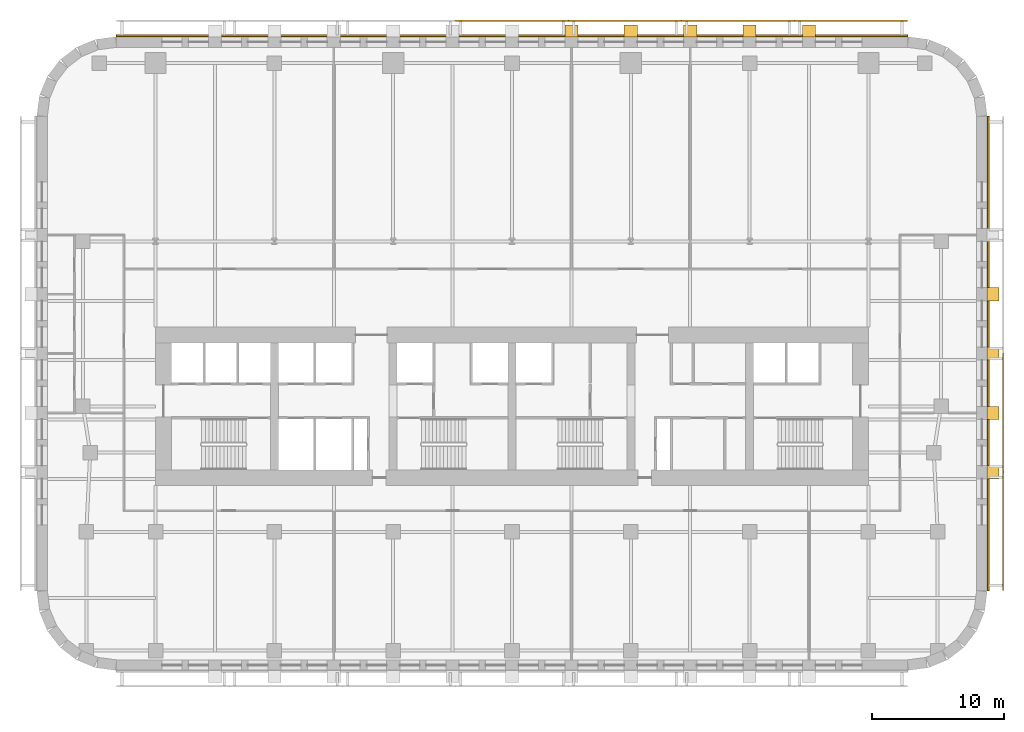
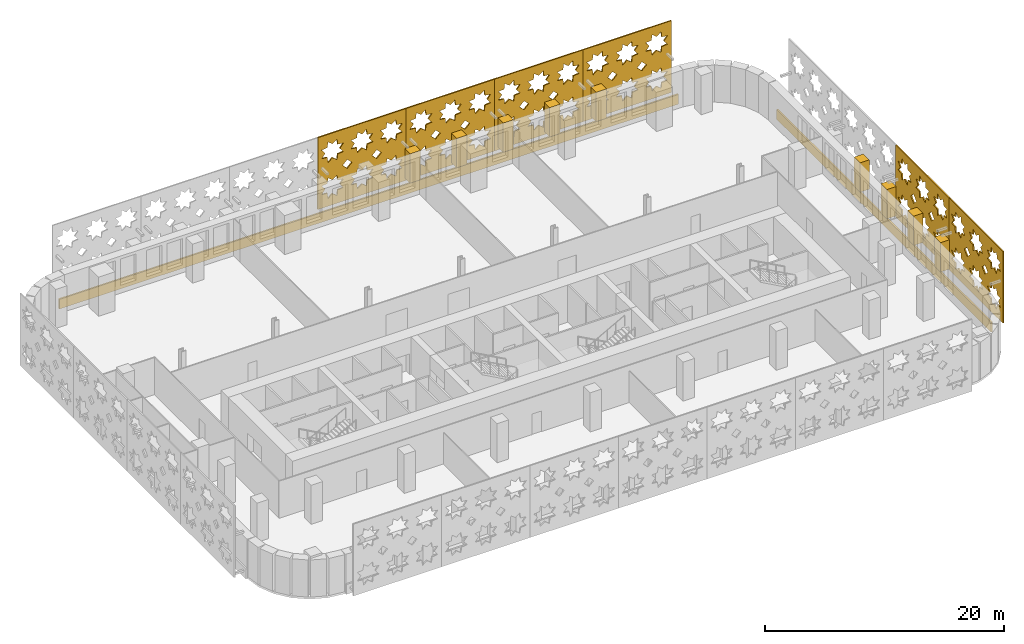
# One storey, part 13 of 14: 17 coverings.
"""IFC4 building model written with IfcOpenShell, lengths in metres."""

from ifc_helpers import new_model, si_unit, direction, frame, origin, place, context, subcontext, project, spatial, polyline, outline, extrude, material, layer, layer_set, type_object, element, save


model = new_model("IFC4")

# Units and contexts
model_context = context("Model", 3, precision=1e-05, world=origin(), true_north=direction((0.0, 1.0)))
body_context = subcontext(model_context, "Body", "Model", "MODEL_VIEW")
ifc_project = project(units=[si_unit("LENGTHUNIT", "METRE"), si_unit("AREAUNIT", "SQUARE_METRE"), si_unit("VOLUMEUNIT", "CUBIC_METRE"), si_unit("PLANEANGLEUNIT", "RADIAN"), si_unit("MASSUNIT", "GRAM", prefix="KILO")], contexts=[model_context])

# Site, building, storey
site_placement = place(None, origin())
site = spatial("IfcSite", under=ifc_project, at=site_placement, CompositionType="ELEMENT")
building_placement = place(site_placement, origin())
building = spatial("IfcBuilding", under=site, at=building_placement, Name="Zellij Exchange Tower", CompositionType="ELEMENT")
storey_placement = place(building_placement, frame((0.0, 0.0, 68.5)))
storey = spatial("IfcBuildingStorey", under=building, at=storey_placement, Name="L13", CompositionType="ELEMENT", Elevation=68.5)

# Coverings
ifc_material_1 = material(Name="Limestone cladding", Category="masonry")
ifc_layer_1 = layer(ifc_material_1, 0.14990234375)
ifc_layer_set_1 = layer_set([ifc_layer_1], Name="Limestone cladding")
covering_type_1 = type_object("IfcCoveringType", Name="ENV-CV1 Stone spandrel band 150", PredefinedType="CLADDING", material=ifc_layer_set_1)
covering_1_placement = place(storey_placement, frame((0.0, 0.0, -0.199951171875)))
element("IfcCovering", 1, at=covering_1_placement, inside=storey, type_object=covering_type_1, Name="Stone spandrel band", PredefinedType="CLADDING", context=body_context, shape_type="SweptSolid", body=[
    extrude(outline(polyline([(36.0, -21.973876953125), (36.0, 13.973876953125), (36.14990234375, 13.983642578125), (36.14990234375, -21.983642578125), (36.0, -21.973876953125)])), origin(), (0.0, 0.0, 1.0), 1.0),
])
covering_2_placement = place(storey_placement, frame((0.0, 0.0, -0.199951171875)))
element("IfcCovering", 2, at=covering_2_placement, inside=storey, type_object=covering_type_1, Name="Stone spandrel band", PredefinedType="CLADDING", context=body_context, shape_type="SweptSolid", body=[
    extrude(outline(polyline([(29.973876953125, 20.0), (-29.973876953125, 20.0), (-29.983642578125, 20.14990234375), (29.983642578125, 20.14990234375), (29.973876953125, 20.0)])), origin(), (0.0, 0.0, 1.0), 1.0),
])
covering_type_2 = type_object("IfcCoveringType", Name="ENV-CV2 Stone pier 1000x900", PredefinedType="CLADDING", material=ifc_material_1)
covering_3_placement = place(storey_placement, frame((0.0, 0.0, 0.800048828125)))
element("IfcCovering", 3, at=covering_3_placement, inside=storey, type_object=covering_type_2, Name="Stone pier", PredefinedType="CLADDING", context=body_context, shape_type="SweptSolid", body=[
    extrude(outline(polyline([(36.0, -13.48681640625), (36.0, -12.48681640625), (36.89990234375, -12.48681640625), (36.89990234375, -13.48681640625), (36.0, -13.48681640625)])), origin(), (0.0, 0.0, 1.0), 3.0),
])
covering_4_placement = place(storey_placement, frame((0.0, 0.0, 0.800048828125)))
element("IfcCovering", 4, at=covering_4_placement, inside=storey, type_object=covering_type_2, Name="Stone pier", PredefinedType="CLADDING", context=body_context, shape_type="SweptSolid", body=[
    extrude(outline(polyline([(36.0, -8.993408203125), (36.0, -7.993408203125), (36.89990234375, -7.993408203125), (36.89990234375, -8.993408203125), (36.0, -8.993408203125)])), origin(), (0.0, 0.0, 1.0), 3.0),
])
covering_5_placement = place(storey_placement, frame((0.0, 0.0, 0.800048828125)))
element("IfcCovering", 5, at=covering_5_placement, inside=storey, type_object=covering_type_2, Name="Stone pier", PredefinedType="CLADDING", context=body_context, shape_type="SweptSolid", body=[
    extrude(outline(polyline([(36.0, -4.5), (36.0, -3.5), (36.89990234375, -3.5), (36.89990234375, -4.5), (36.0, -4.5)])), origin(), (0.0, 0.0, 1.0), 3.0),
])
covering_6_placement = place(storey_placement, frame((0.0, 0.0, 0.800048828125)))
element("IfcCovering", 6, at=covering_6_placement, inside=storey, type_object=covering_type_2, Name="Stone pier", PredefinedType="CLADDING", context=body_context, shape_type="SweptSolid", body=[
    extrude(outline(polyline([(36.0, -0.006591796875), (36.0, 0.993408203125), (36.89990234375, 0.993408203125), (36.89990234375, -0.006591796875), (36.0, -0.006591796875)])), origin(), (0.0, 0.0, 1.0), 3.0),
])
covering_7_placement = place(storey_placement, frame((0.0, 0.0, 0.800048828125)))
element("IfcCovering", 7, at=covering_7_placement, inside=storey, type_object=covering_type_2, Name="Stone pier", PredefinedType="CLADDING", context=body_context, shape_type="SweptSolid", body=[
    extrude(outline(polyline([(23.0, 20.0), (22.0, 20.0), (22.0, 20.89990234375), (23.0, 20.89990234375), (23.0, 20.0)])), origin(), (0.0, 0.0, 1.0), 3.0),
])
covering_8_placement = place(storey_placement, frame((0.0, 0.0, 0.800048828125)))
element("IfcCovering", 8, at=covering_8_placement, inside=storey, type_object=covering_type_2, Name="Stone pier", PredefinedType="CLADDING", context=body_context, shape_type="SweptSolid", body=[
    extrude(outline(polyline([(18.5, 20.0), (17.5, 20.0), (17.5, 20.89990234375), (18.5, 20.89990234375), (18.5, 20.0)])), origin(), (0.0, 0.0, 1.0), 3.0),
])
covering_9_placement = place(storey_placement, frame((0.0, 0.0, 0.800048828125)))
element("IfcCovering", 9, at=covering_9_placement, inside=storey, type_object=covering_type_2, Name="Stone pier", PredefinedType="CLADDING", context=body_context, shape_type="SweptSolid", body=[
    extrude(outline(polyline([(14.0, 20.0), (13.0, 20.0), (13.0, 20.89990234375), (14.0, 20.89990234375), (14.0, 20.0)])), origin(), (0.0, 0.0, 1.0), 3.0),
])
covering_10_placement = place(storey_placement, frame((0.0, 0.0, 0.800048828125)))
element("IfcCovering", 10, at=covering_10_placement, inside=storey, type_object=covering_type_2, Name="Stone pier", PredefinedType="CLADDING", context=body_context, shape_type="SweptSolid", body=[
    extrude(outline(polyline([(9.5, 20.0), (8.5, 20.0), (8.5, 20.89990234375), (9.5, 20.89990234375), (9.5, 20.0)])), origin(), (0.0, 0.0, 1.0), 3.0),
])
covering_11_placement = place(storey_placement, frame((0.0, 0.0, 0.800048828125)))
element("IfcCovering", 11, at=covering_11_placement, inside=storey, type_object=covering_type_2, Name="Stone pier", PredefinedType="CLADDING", context=body_context, shape_type="SweptSolid", body=[
    extrude(outline(polyline([(5.0, 20.0), (4.0, 20.0), (4.0, 20.89990234375), (5.0, 20.89990234375), (5.0, 20.0)])), origin(), (0.0, 0.0, 1.0), 3.0),
])
ifc_material_2 = material(Name="Limestone screen", Category="masonry")
ifc_layer_2 = layer(ifc_material_2, 0.1201171875)
ifc_layer_set_2 = layer_set([ifc_layer_2], Name="Limestone screen")
covering_type_3 = type_object("IfcCoveringType", Name="ENV-SC1 Pierced stone screen 120", PredefinedType="USERDEFINED", material=ifc_layer_set_2)
covering_12_placement = place(storey_placement, frame((29.947509765625, 21.2099609375, 0.300048828125), z_axis=(0.0, 0.0, 1.0), x_axis=(-1.0, 0.0, 0.0)))
element("IfcCovering", 12, at=covering_12_placement, inside=storey, type_object=covering_type_3, Name="Pierced stone screen", ObjectType="SCREEN", PredefinedType="USERDEFINED", context=body_context, shape_type="SweptSolid", body=[
    extrude(outline(polyline([(0.0, 0.0), (8.556396484375, 0.0), (8.556396484375, 7.35009765625), (0.0, 7.35009765625), (0.0, 0.0)]), holes=[polyline([(2.47998046875, 2.274169921875), (1.92626953125, 2.337646484375), (1.86279296875, 2.8916015625), (1.426025390625, 2.544921875), (0.989501953125, 2.8916015625), (0.92578125, 2.337646484375), (0.3720703125, 2.274169921875), (0.71875, 1.83740234375), (0.3720703125, 1.40087890625), (0.92578125, 1.33740234375), (0.989501953125, 0.783447265625), (1.426025390625, 1.130126953125), (1.86279296875, 0.783447265625), (1.92626953125, 1.33740234375), (2.47998046875, 1.40087890625), (2.13330078125, 1.83740234375), (2.47998046875, 2.274169921875)]), polyline([(2.47998046875, 5.94921875), (1.92626953125, 6.0126953125), (1.86279296875, 6.56640625), (1.426025390625, 6.2197265625), (0.989501953125, 6.56640625), (0.92578125, 6.0126953125), (0.3720703125, 5.94921875), (0.71875, 5.512451171875), (0.3720703125, 5.075927734375), (0.92578125, 5.01220703125), (0.989501953125, 4.45849609375), (1.426025390625, 4.80517578125), (1.86279296875, 4.45849609375), (1.92626953125, 5.01220703125), (2.47998046875, 5.075927734375), (2.13330078125, 5.512451171875), (2.47998046875, 5.94921875)]), polyline([(5.332275390625, 2.274169921875), (4.7783203125, 2.337646484375), (4.71484375, 2.8916015625), (4.2783203125, 2.544921875), (3.841552734375, 2.8916015625), (3.778076171875, 2.337646484375), (3.22412109375, 2.274169921875), (3.57080078125, 1.83740234375), (3.22412109375, 1.40087890625), (3.778076171875, 1.33740234375), (3.841552734375, 0.783447265625), (4.2783203125, 1.130126953125), (4.71484375, 0.783447265625), (4.7783203125, 1.33740234375), (5.332275390625, 1.40087890625), (4.985595703125, 1.83740234375), (5.332275390625, 2.274169921875)]), polyline([(5.332275390625, 5.94921875), (4.7783203125, 6.0126953125), (4.71484375, 6.56640625), (4.2783203125, 6.2197265625), (3.841552734375, 6.56640625), (3.778076171875, 6.0126953125), (3.22412109375, 5.94921875), (3.57080078125, 5.512451171875), (3.22412109375, 5.075927734375), (3.778076171875, 5.01220703125), (3.841552734375, 4.45849609375), (4.2783203125, 4.80517578125), (4.71484375, 4.45849609375), (4.7783203125, 5.01220703125), (5.332275390625, 5.075927734375), (4.985595703125, 5.512451171875), (5.332275390625, 5.94921875)]), polyline([(8.184326171875, 2.274169921875), (7.630615234375, 2.337646484375), (7.56689453125, 2.8916015625), (7.13037109375, 2.544921875), (6.69384765625, 2.8916015625), (6.630126953125, 2.337646484375), (6.076416015625, 2.274169921875), (6.423095703125, 1.83740234375), (6.076416015625, 1.40087890625), (6.630126953125, 1.33740234375), (6.69384765625, 0.783447265625), (7.13037109375, 1.130126953125), (7.56689453125, 0.783447265625), (7.630615234375, 1.33740234375), (8.184326171875, 1.40087890625), (7.837646484375, 1.83740234375), (8.184326171875, 2.274169921875)]), polyline([(8.184326171875, 5.94921875), (7.630615234375, 6.0126953125), (7.56689453125, 6.56640625), (7.13037109375, 6.2197265625), (6.69384765625, 6.56640625), (6.630126953125, 6.0126953125), (6.076416015625, 5.94921875), (6.423095703125, 5.512451171875), (6.076416015625, 5.075927734375), (6.630126953125, 5.01220703125), (6.69384765625, 4.45849609375), (7.13037109375, 4.80517578125), (7.56689453125, 4.45849609375), (7.630615234375, 5.01220703125), (8.184326171875, 5.075927734375), (7.837646484375, 5.512451171875), (8.184326171875, 5.94921875)]), polyline([(3.30859375, 3.675048828125), (2.852294921875, 4.13134765625), (2.395751953125, 3.675048828125), (2.852294921875, 3.21875), (3.30859375, 3.675048828125)]), polyline([(6.16064453125, 3.675048828125), (5.704345703125, 4.13134765625), (5.248046875, 3.675048828125), (5.704345703125, 3.21875), (6.16064453125, 3.675048828125)])]), frame((0.0, 0.06005859375, 0.0), z_axis=(0.0, -1.0, 0.0), x_axis=(1.0, 0.0, 0.0)), (0.0, 0.0, 1.0), 0.1201171875),
])
covering_13_placement = place(storey_placement, frame((21.39111328125, 21.2099609375, 0.300048828125), z_axis=(0.0, 0.0, 1.0), x_axis=(-1.0, 0.0, 0.0)))
element("IfcCovering", 13, at=covering_13_placement, inside=storey, type_object=covering_type_3, Name="Pierced stone screen", ObjectType="SCREEN", PredefinedType="USERDEFINED", context=body_context, shape_type="SweptSolid", body=[
    extrude(outline(polyline([(0.0, 0.0), (8.556396484375, 0.0), (8.556396484375, 7.35009765625), (0.0, 7.35009765625), (0.0, 0.0)]), holes=[polyline([(2.47998046875, 2.274169921875), (1.92626953125, 2.337646484375), (1.86279296875, 2.8916015625), (1.426025390625, 2.544921875), (0.989501953125, 2.8916015625), (0.92578125, 2.337646484375), (0.3720703125, 2.274169921875), (0.71875, 1.83740234375), (0.3720703125, 1.40087890625), (0.92578125, 1.33740234375), (0.989501953125, 0.783447265625), (1.426025390625, 1.130126953125), (1.86279296875, 0.783447265625), (1.92626953125, 1.33740234375), (2.47998046875, 1.40087890625), (2.13330078125, 1.83740234375), (2.47998046875, 2.274169921875)]), polyline([(2.47998046875, 5.94921875), (1.92626953125, 6.0126953125), (1.86279296875, 6.56640625), (1.426025390625, 6.2197265625), (0.989501953125, 6.56640625), (0.92578125, 6.0126953125), (0.3720703125, 5.94921875), (0.71875, 5.512451171875), (0.3720703125, 5.075927734375), (0.92578125, 5.01220703125), (0.989501953125, 4.45849609375), (1.426025390625, 4.80517578125), (1.86279296875, 4.45849609375), (1.92626953125, 5.01220703125), (2.47998046875, 5.075927734375), (2.13330078125, 5.512451171875), (2.47998046875, 5.94921875)]), polyline([(5.332275390625, 2.274169921875), (4.7783203125, 2.337646484375), (4.71484375, 2.8916015625), (4.2783203125, 2.544921875), (3.841552734375, 2.8916015625), (3.778076171875, 2.337646484375), (3.22412109375, 2.274169921875), (3.57080078125, 1.83740234375), (3.22412109375, 1.40087890625), (3.778076171875, 1.33740234375), (3.841552734375, 0.783447265625), (4.2783203125, 1.130126953125), (4.71484375, 0.783447265625), (4.7783203125, 1.33740234375), (5.332275390625, 1.40087890625), (4.985595703125, 1.83740234375), (5.332275390625, 2.274169921875)]), polyline([(5.332275390625, 5.94921875), (4.7783203125, 6.0126953125), (4.71484375, 6.56640625), (4.2783203125, 6.2197265625), (3.841552734375, 6.56640625), (3.778076171875, 6.0126953125), (3.22412109375, 5.94921875), (3.57080078125, 5.512451171875), (3.22412109375, 5.075927734375), (3.778076171875, 5.01220703125), (3.841552734375, 4.45849609375), (4.2783203125, 4.80517578125), (4.71484375, 4.45849609375), (4.7783203125, 5.01220703125), (5.332275390625, 5.075927734375), (4.985595703125, 5.512451171875), (5.332275390625, 5.94921875)]), polyline([(8.184326171875, 2.274169921875), (7.630615234375, 2.337646484375), (7.56689453125, 2.8916015625), (7.13037109375, 2.544921875), (6.69384765625, 2.8916015625), (6.630126953125, 2.337646484375), (6.076416015625, 2.274169921875), (6.423095703125, 1.83740234375), (6.076416015625, 1.40087890625), (6.630126953125, 1.33740234375), (6.69384765625, 0.783447265625), (7.13037109375, 1.130126953125), (7.56689453125, 0.783447265625), (7.630615234375, 1.33740234375), (8.184326171875, 1.40087890625), (7.837646484375, 1.83740234375), (8.184326171875, 2.274169921875)]), polyline([(8.184326171875, 5.94921875), (7.630615234375, 6.0126953125), (7.56689453125, 6.56640625), (7.13037109375, 6.2197265625), (6.69384765625, 6.56640625), (6.630126953125, 6.0126953125), (6.076416015625, 5.94921875), (6.423095703125, 5.512451171875), (6.076416015625, 5.075927734375), (6.630126953125, 5.01220703125), (6.69384765625, 4.45849609375), (7.13037109375, 4.80517578125), (7.56689453125, 4.45849609375), (7.630615234375, 5.01220703125), (8.184326171875, 5.075927734375), (7.837646484375, 5.512451171875), (8.184326171875, 5.94921875)]), polyline([(3.30859375, 3.675048828125), (2.852294921875, 4.13134765625), (2.395751953125, 3.675048828125), (2.852294921875, 3.21875), (3.30859375, 3.675048828125)]), polyline([(6.16064453125, 3.675048828125), (5.704345703125, 4.13134765625), (5.248046875, 3.675048828125), (5.704345703125, 3.21875), (6.16064453125, 3.675048828125)])]), frame((0.0, 0.06005859375, 0.0), z_axis=(0.0, -1.0, 0.0), x_axis=(1.0, 0.0, 0.0)), (0.0, 0.0, 1.0), 0.1201171875),
])
covering_14_placement = place(storey_placement, frame((12.834716796875, 21.2099609375, 0.300048828125), z_axis=(0.0, 0.0, 1.0), x_axis=(-1.0, 0.0, 0.0)))
element("IfcCovering", 14, at=covering_14_placement, inside=storey, type_object=covering_type_3, Name="Pierced stone screen", ObjectType="SCREEN", PredefinedType="USERDEFINED", context=body_context, shape_type="SweptSolid", body=[
    extrude(outline(polyline([(0.0, 0.0), (8.556396484375, 0.0), (8.556396484375, 7.35009765625), (0.0, 7.35009765625), (0.0, 0.0)]), holes=[polyline([(2.47998046875, 2.274169921875), (1.92626953125, 2.337646484375), (1.86279296875, 2.8916015625), (1.426025390625, 2.544921875), (0.989501953125, 2.8916015625), (0.92578125, 2.337646484375), (0.3720703125, 2.274169921875), (0.71875, 1.83740234375), (0.3720703125, 1.40087890625), (0.92578125, 1.33740234375), (0.989501953125, 0.783447265625), (1.426025390625, 1.130126953125), (1.86279296875, 0.783447265625), (1.92626953125, 1.33740234375), (2.47998046875, 1.40087890625), (2.13330078125, 1.83740234375), (2.47998046875, 2.274169921875)]), polyline([(2.47998046875, 5.94921875), (1.92626953125, 6.0126953125), (1.86279296875, 6.56640625), (1.426025390625, 6.2197265625), (0.989501953125, 6.56640625), (0.92578125, 6.0126953125), (0.3720703125, 5.94921875), (0.71875, 5.512451171875), (0.3720703125, 5.075927734375), (0.92578125, 5.01220703125), (0.989501953125, 4.45849609375), (1.426025390625, 4.80517578125), (1.86279296875, 4.45849609375), (1.92626953125, 5.01220703125), (2.47998046875, 5.075927734375), (2.13330078125, 5.512451171875), (2.47998046875, 5.94921875)]), polyline([(5.332275390625, 2.274169921875), (4.7783203125, 2.337646484375), (4.71484375, 2.8916015625), (4.2783203125, 2.544921875), (3.841552734375, 2.8916015625), (3.778076171875, 2.337646484375), (3.22412109375, 2.274169921875), (3.57080078125, 1.83740234375), (3.22412109375, 1.40087890625), (3.778076171875, 1.33740234375), (3.841552734375, 0.783447265625), (4.2783203125, 1.130126953125), (4.71484375, 0.783447265625), (4.7783203125, 1.33740234375), (5.332275390625, 1.40087890625), (4.985595703125, 1.83740234375), (5.332275390625, 2.274169921875)]), polyline([(5.332275390625, 5.94921875), (4.7783203125, 6.0126953125), (4.71484375, 6.56640625), (4.2783203125, 6.2197265625), (3.841552734375, 6.56640625), (3.778076171875, 6.0126953125), (3.22412109375, 5.94921875), (3.57080078125, 5.512451171875), (3.22412109375, 5.075927734375), (3.778076171875, 5.01220703125), (3.841552734375, 4.45849609375), (4.2783203125, 4.80517578125), (4.71484375, 4.45849609375), (4.7783203125, 5.01220703125), (5.332275390625, 5.075927734375), (4.985595703125, 5.512451171875), (5.332275390625, 5.94921875)]), polyline([(8.184326171875, 2.274169921875), (7.630615234375, 2.337646484375), (7.56689453125, 2.8916015625), (7.13037109375, 2.544921875), (6.69384765625, 2.8916015625), (6.630126953125, 2.337646484375), (6.076416015625, 2.274169921875), (6.423095703125, 1.83740234375), (6.076416015625, 1.40087890625), (6.630126953125, 1.33740234375), (6.69384765625, 0.783447265625), (7.13037109375, 1.130126953125), (7.56689453125, 0.783447265625), (7.630615234375, 1.33740234375), (8.184326171875, 1.40087890625), (7.837646484375, 1.83740234375), (8.184326171875, 2.274169921875)]), polyline([(8.184326171875, 5.94921875), (7.630615234375, 6.0126953125), (7.56689453125, 6.56640625), (7.13037109375, 6.2197265625), (6.69384765625, 6.56640625), (6.630126953125, 6.0126953125), (6.076416015625, 5.94921875), (6.423095703125, 5.512451171875), (6.076416015625, 5.075927734375), (6.630126953125, 5.01220703125), (6.69384765625, 4.45849609375), (7.13037109375, 4.80517578125), (7.56689453125, 4.45849609375), (7.630615234375, 5.01220703125), (8.184326171875, 5.075927734375), (7.837646484375, 5.512451171875), (8.184326171875, 5.94921875)]), polyline([(3.30859375, 3.675048828125), (2.852294921875, 4.13134765625), (2.395751953125, 3.675048828125), (2.852294921875, 3.21875), (3.30859375, 3.675048828125)]), polyline([(6.16064453125, 3.675048828125), (5.704345703125, 4.13134765625), (5.248046875, 3.675048828125), (5.704345703125, 3.21875), (6.16064453125, 3.675048828125)])]), frame((0.0, 0.06005859375, 0.0), z_axis=(0.0, -1.0, 0.0), x_axis=(1.0, 0.0, 0.0)), (0.0, 0.0, 1.0), 0.1201171875),
])
covering_15_placement = place(storey_placement, frame((4.2783203125, 21.2099609375, 0.300048828125), z_axis=(0.0, 0.0, 1.0), x_axis=(-1.0, 0.0, 0.0)))
element("IfcCovering", 15, at=covering_15_placement, inside=storey, type_object=covering_type_3, Name="Pierced stone screen", ObjectType="SCREEN", PredefinedType="USERDEFINED", context=body_context, shape_type="SweptSolid", body=[
    extrude(outline(polyline([(0.0, 0.0), (8.556396484375, 0.0), (8.556396484375, 7.35009765625), (0.0, 7.35009765625), (0.0, 0.0)]), holes=[polyline([(2.47998046875, 2.274169921875), (1.92626953125, 2.337646484375), (1.86279296875, 2.8916015625), (1.426025390625, 2.544921875), (0.989501953125, 2.8916015625), (0.92578125, 2.337646484375), (0.3720703125, 2.274169921875), (0.71875, 1.83740234375), (0.3720703125, 1.40087890625), (0.92578125, 1.33740234375), (0.989501953125, 0.783447265625), (1.426025390625, 1.130126953125), (1.86279296875, 0.783447265625), (1.92626953125, 1.33740234375), (2.47998046875, 1.40087890625), (2.13330078125, 1.83740234375), (2.47998046875, 2.274169921875)]), polyline([(2.47998046875, 5.94921875), (1.92626953125, 6.0126953125), (1.86279296875, 6.56640625), (1.426025390625, 6.2197265625), (0.989501953125, 6.56640625), (0.92578125, 6.0126953125), (0.3720703125, 5.94921875), (0.71875, 5.512451171875), (0.3720703125, 5.075927734375), (0.92578125, 5.01220703125), (0.989501953125, 4.45849609375), (1.426025390625, 4.80517578125), (1.86279296875, 4.45849609375), (1.92626953125, 5.01220703125), (2.47998046875, 5.075927734375), (2.13330078125, 5.512451171875), (2.47998046875, 5.94921875)]), polyline([(5.332275390625, 2.274169921875), (4.7783203125, 2.337646484375), (4.71484375, 2.8916015625), (4.2783203125, 2.544921875), (3.841552734375, 2.8916015625), (3.778076171875, 2.337646484375), (3.22412109375, 2.274169921875), (3.57080078125, 1.83740234375), (3.22412109375, 1.40087890625), (3.778076171875, 1.33740234375), (3.841552734375, 0.783447265625), (4.2783203125, 1.130126953125), (4.71484375, 0.783447265625), (4.7783203125, 1.33740234375), (5.332275390625, 1.40087890625), (4.985595703125, 1.83740234375), (5.332275390625, 2.274169921875)]), polyline([(5.332275390625, 5.94921875), (4.7783203125, 6.0126953125), (4.71484375, 6.56640625), (4.2783203125, 6.2197265625), (3.841552734375, 6.56640625), (3.778076171875, 6.0126953125), (3.22412109375, 5.94921875), (3.57080078125, 5.512451171875), (3.22412109375, 5.075927734375), (3.778076171875, 5.01220703125), (3.841552734375, 4.45849609375), (4.2783203125, 4.80517578125), (4.71484375, 4.45849609375), (4.7783203125, 5.01220703125), (5.332275390625, 5.075927734375), (4.985595703125, 5.512451171875), (5.332275390625, 5.94921875)]), polyline([(8.184326171875, 2.274169921875), (7.630615234375, 2.337646484375), (7.56689453125, 2.8916015625), (7.13037109375, 2.544921875), (6.69384765625, 2.8916015625), (6.630126953125, 2.337646484375), (6.076416015625, 2.274169921875), (6.423095703125, 1.83740234375), (6.076416015625, 1.40087890625), (6.630126953125, 1.33740234375), (6.69384765625, 0.783447265625), (7.13037109375, 1.130126953125), (7.56689453125, 0.783447265625), (7.630615234375, 1.33740234375), (8.184326171875, 1.40087890625), (7.837646484375, 1.83740234375), (8.184326171875, 2.274169921875)]), polyline([(8.184326171875, 5.94921875), (7.630615234375, 6.0126953125), (7.56689453125, 6.56640625), (7.13037109375, 6.2197265625), (6.69384765625, 6.56640625), (6.630126953125, 6.0126953125), (6.076416015625, 5.94921875), (6.423095703125, 5.512451171875), (6.076416015625, 5.075927734375), (6.630126953125, 5.01220703125), (6.69384765625, 4.45849609375), (7.13037109375, 4.80517578125), (7.56689453125, 4.45849609375), (7.630615234375, 5.01220703125), (8.184326171875, 5.075927734375), (7.837646484375, 5.512451171875), (8.184326171875, 5.94921875)]), polyline([(3.30859375, 3.675048828125), (2.852294921875, 4.13134765625), (2.395751953125, 3.675048828125), (2.852294921875, 3.21875), (3.30859375, 3.675048828125)]), polyline([(6.16064453125, 3.675048828125), (5.704345703125, 4.13134765625), (5.248046875, 3.675048828125), (5.704345703125, 3.21875), (6.16064453125, 3.675048828125)])]), frame((0.0, 0.06005859375, 0.0), z_axis=(0.0, -1.0, 0.0), x_axis=(1.0, 0.0, 0.0)), (0.0, 0.0, 1.0), 0.1201171875),
])
covering_16_placement = place(storey_placement, frame((37.2099609375, -21.947509765625, 0.300048828125), z_axis=(0.0, 0.0, 1.0), x_axis=(0.0, 1.0, 0.0)))
element("IfcCovering", 16, at=covering_16_placement, inside=storey, type_object=covering_type_3, Name="Pierced stone screen", ObjectType="SCREEN", PredefinedType="USERDEFINED", context=body_context, shape_type="SweptSolid", body=[
    extrude(outline(polyline([(0.0, 0.0), (8.973876953125, 0.0), (8.973876953125, 7.35009765625), (0.0, 7.35009765625), (0.0, 0.0)]), holes=[polyline([(2.60107421875, 2.29541015625), (2.020263671875, 2.362060546875), (1.95361328125, 2.94287109375), (1.49560546875, 2.579345703125), (1.03759765625, 2.94287109375), (0.97119140625, 2.362060546875), (0.39013671875, 2.29541015625), (0.75390625, 1.83740234375), (0.39013671875, 1.379638671875), (0.97119140625, 1.31298828125), (1.03759765625, 0.732177734375), (1.49560546875, 1.095703125), (1.95361328125, 0.732177734375), (2.020263671875, 1.31298828125), (2.60107421875, 1.379638671875), (2.237548828125, 1.83740234375), (2.60107421875, 2.29541015625)]), polyline([(2.60107421875, 5.970458984375), (2.020263671875, 6.037109375), (1.95361328125, 6.617919921875), (1.49560546875, 6.25439453125), (1.03759765625, 6.617919921875), (0.97119140625, 6.037109375), (0.39013671875, 5.970458984375), (0.75390625, 5.512451171875), (0.39013671875, 5.0546875), (0.97119140625, 4.98779296875), (1.03759765625, 4.406982421875), (1.49560546875, 4.770751953125), (1.95361328125, 4.406982421875), (2.020263671875, 4.98779296875), (2.60107421875, 5.0546875), (2.237548828125, 5.512451171875), (2.60107421875, 5.970458984375)]), polyline([(5.59228515625, 2.29541015625), (5.011474609375, 2.362060546875), (4.94482421875, 2.94287109375), (4.48681640625, 2.579345703125), (4.029052734375, 2.94287109375), (3.96240234375, 2.362060546875), (3.381591796875, 2.29541015625), (3.7451171875, 1.83740234375), (3.381591796875, 1.379638671875), (3.96240234375, 1.31298828125), (4.029052734375, 0.732177734375), (4.48681640625, 1.095703125), (4.94482421875, 0.732177734375), (5.011474609375, 1.31298828125), (5.59228515625, 1.379638671875), (5.228759765625, 1.83740234375), (5.59228515625, 2.29541015625)]), polyline([(5.59228515625, 5.970458984375), (5.011474609375, 6.037109375), (4.94482421875, 6.617919921875), (4.48681640625, 6.25439453125), (4.029052734375, 6.617919921875), (3.96240234375, 6.037109375), (3.381591796875, 5.970458984375), (3.7451171875, 5.512451171875), (3.381591796875, 5.0546875), (3.96240234375, 4.98779296875), (4.029052734375, 4.406982421875), (4.48681640625, 4.770751953125), (4.94482421875, 4.406982421875), (5.011474609375, 4.98779296875), (5.59228515625, 5.0546875), (5.228759765625, 5.512451171875), (5.59228515625, 5.970458984375)]), polyline([(8.58349609375, 2.29541015625), (8.002685546875, 2.362060546875), (7.93603515625, 2.94287109375), (7.478271484375, 2.579345703125), (7.020263671875, 2.94287109375), (6.95361328125, 2.362060546875), (6.372802734375, 2.29541015625), (6.736328125, 1.83740234375), (6.372802734375, 1.379638671875), (6.95361328125, 1.31298828125), (7.020263671875, 0.732177734375), (7.478271484375, 1.095703125), (7.93603515625, 0.732177734375), (8.002685546875, 1.31298828125), (8.58349609375, 1.379638671875), (8.219970703125, 1.83740234375), (8.58349609375, 2.29541015625)]), polyline([(8.58349609375, 5.970458984375), (8.002685546875, 6.037109375), (7.93603515625, 6.617919921875), (7.478271484375, 6.25439453125), (7.020263671875, 6.617919921875), (6.95361328125, 6.037109375), (6.372802734375, 5.970458984375), (6.736328125, 5.512451171875), (6.372802734375, 5.0546875), (6.95361328125, 4.98779296875), (7.020263671875, 4.406982421875), (7.478271484375, 4.770751953125), (7.93603515625, 4.406982421875), (8.002685546875, 4.98779296875), (8.58349609375, 5.0546875), (8.219970703125, 5.512451171875), (8.58349609375, 5.970458984375)]), polyline([(3.469970703125, 3.675048828125), (2.9912109375, 4.153564453125), (2.5126953125, 3.675048828125), (2.9912109375, 3.1962890625), (3.469970703125, 3.675048828125)]), polyline([(6.461181640625, 3.675048828125), (5.982421875, 4.153564453125), (5.50390625, 3.675048828125), (5.982421875, 3.1962890625), (6.461181640625, 3.675048828125)])]), frame((0.0, 0.06005859375, 0.0), z_axis=(0.0, -1.0, 0.0), x_axis=(1.0, 0.0, 0.0)), (0.0, 0.0, 1.0), 0.1201171875),
])
covering_17_placement = place(storey_placement, frame((37.2099609375, -12.973876953125, 0.300048828125), z_axis=(0.0, 0.0, 1.0), x_axis=(0.0, 1.0, 0.0)))
element("IfcCovering", 17, at=covering_17_placement, inside=storey, type_object=covering_type_3, Name="Pierced stone screen", ObjectType="SCREEN", PredefinedType="USERDEFINED", context=body_context, shape_type="SweptSolid", body=[
    extrude(outline(polyline([(0.0, 0.0), (8.973876953125, 0.0), (8.973876953125, 7.35009765625), (0.0, 7.35009765625), (0.0, 0.0)]), holes=[polyline([(2.60107421875, 2.29541015625), (2.020263671875, 2.362060546875), (1.95361328125, 2.94287109375), (1.49560546875, 2.579345703125), (1.03759765625, 2.94287109375), (0.97119140625, 2.362060546875), (0.39013671875, 2.29541015625), (0.75390625, 1.83740234375), (0.39013671875, 1.379638671875), (0.97119140625, 1.31298828125), (1.03759765625, 0.732177734375), (1.49560546875, 1.095703125), (1.95361328125, 0.732177734375), (2.020263671875, 1.31298828125), (2.60107421875, 1.379638671875), (2.237548828125, 1.83740234375), (2.60107421875, 2.29541015625)]), polyline([(2.60107421875, 5.970458984375), (2.020263671875, 6.037109375), (1.95361328125, 6.617919921875), (1.49560546875, 6.25439453125), (1.03759765625, 6.617919921875), (0.97119140625, 6.037109375), (0.39013671875, 5.970458984375), (0.75390625, 5.512451171875), (0.39013671875, 5.0546875), (0.97119140625, 4.98779296875), (1.03759765625, 4.406982421875), (1.49560546875, 4.770751953125), (1.95361328125, 4.406982421875), (2.020263671875, 4.98779296875), (2.60107421875, 5.0546875), (2.237548828125, 5.512451171875), (2.60107421875, 5.970458984375)]), polyline([(5.59228515625, 2.29541015625), (5.011474609375, 2.362060546875), (4.94482421875, 2.94287109375), (4.48681640625, 2.579345703125), (4.029052734375, 2.94287109375), (3.96240234375, 2.362060546875), (3.381591796875, 2.29541015625), (3.7451171875, 1.83740234375), (3.381591796875, 1.379638671875), (3.96240234375, 1.31298828125), (4.029052734375, 0.732177734375), (4.48681640625, 1.095703125), (4.94482421875, 0.732177734375), (5.011474609375, 1.31298828125), (5.59228515625, 1.379638671875), (5.228759765625, 1.83740234375), (5.59228515625, 2.29541015625)]), polyline([(5.59228515625, 5.970458984375), (5.011474609375, 6.037109375), (4.94482421875, 6.617919921875), (4.48681640625, 6.25439453125), (4.029052734375, 6.617919921875), (3.96240234375, 6.037109375), (3.381591796875, 5.970458984375), (3.7451171875, 5.512451171875), (3.381591796875, 5.0546875), (3.96240234375, 4.98779296875), (4.029052734375, 4.406982421875), (4.48681640625, 4.770751953125), (4.94482421875, 4.406982421875), (5.011474609375, 4.98779296875), (5.59228515625, 5.0546875), (5.228759765625, 5.512451171875), (5.59228515625, 5.970458984375)]), polyline([(8.58349609375, 2.29541015625), (8.002685546875, 2.362060546875), (7.93603515625, 2.94287109375), (7.478271484375, 2.579345703125), (7.020263671875, 2.94287109375), (6.95361328125, 2.362060546875), (6.372802734375, 2.29541015625), (6.736328125, 1.83740234375), (6.372802734375, 1.379638671875), (6.95361328125, 1.31298828125), (7.020263671875, 0.732177734375), (7.478271484375, 1.095703125), (7.93603515625, 0.732177734375), (8.002685546875, 1.31298828125), (8.58349609375, 1.379638671875), (8.219970703125, 1.83740234375), (8.58349609375, 2.29541015625)]), polyline([(8.58349609375, 5.970458984375), (8.002685546875, 6.037109375), (7.93603515625, 6.617919921875), (7.478271484375, 6.25439453125), (7.020263671875, 6.617919921875), (6.95361328125, 6.037109375), (6.372802734375, 5.970458984375), (6.736328125, 5.512451171875), (6.372802734375, 5.0546875), (6.95361328125, 4.98779296875), (7.020263671875, 4.406982421875), (7.478271484375, 4.770751953125), (7.93603515625, 4.406982421875), (8.002685546875, 4.98779296875), (8.58349609375, 5.0546875), (8.219970703125, 5.512451171875), (8.58349609375, 5.970458984375)]), polyline([(3.469970703125, 3.675048828125), (2.9912109375, 4.153564453125), (2.5126953125, 3.675048828125), (2.9912109375, 3.1962890625), (3.469970703125, 3.675048828125)]), polyline([(6.461181640625, 3.675048828125), (5.982421875, 4.153564453125), (5.50390625, 3.675048828125), (5.982421875, 3.1962890625), (6.461181640625, 3.675048828125)])]), frame((0.0, 0.06005859375, 0.0), z_axis=(0.0, -1.0, 0.0), x_axis=(1.0, 0.0, 0.0)), (0.0, 0.0, 1.0), 0.1201171875),
])

save(model, "model.ifc")
